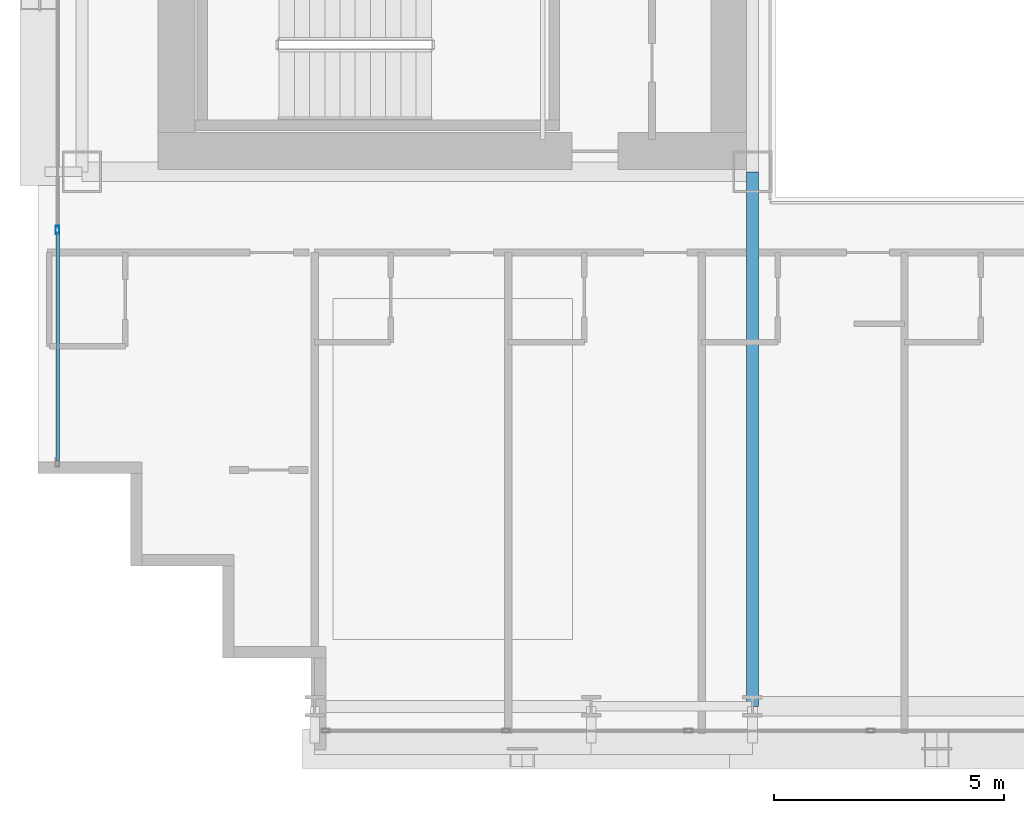
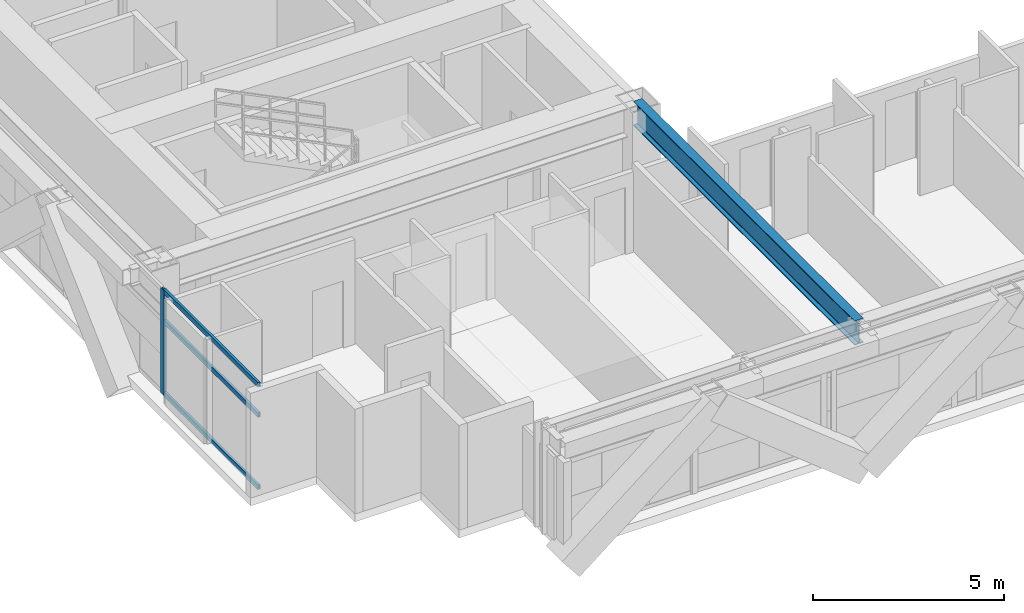
# One storey, part 3 of 36: 4 members, 1 beam, 1 element without a shape of its own.
"""IFC4 building model written with IfcOpenShell, lengths in metres."""

from ifc_helpers import new_model, si_unit, direction, frame, origin, origin_2d, place, context, subcontext, project, spatial, hollow_rectangle, i_section, extrude, source, transform, mapped, material, layer, layer_set, material_profile, profile_set, type_object, element, aggregate, save


model = new_model("IFC4")

# Units and contexts
model_context = context("Model", 3, precision=1e-05, world=origin(), true_north=direction((0.0, 1.0)))
body_context = subcontext(model_context, "Body", "Model", "MODEL_VIEW")
ifc_project = project(units=[si_unit("LENGTHUNIT", "METRE"), si_unit("AREAUNIT", "SQUARE_METRE"), si_unit("VOLUMEUNIT", "CUBIC_METRE"), si_unit("PLANEANGLEUNIT", "RADIAN"), si_unit("MASSUNIT", "GRAM", prefix="KILO")], contexts=[model_context])

# Site, building, storey
site_placement = place(None, origin())
site = spatial("IfcSite", under=ifc_project, at=site_placement, CompositionType="ELEMENT")
building_placement = place(site_placement, origin())
building = spatial("IfcBuilding", under=site, at=building_placement, Name="Ocotamira Hotel", CompositionType="ELEMENT")
storey_placement = place(building_placement, frame((0.0, 0.0, 42.0)))
storey = spatial("IfcBuildingStorey", under=building, at=storey_placement, Name="L09", CompositionType="ELEMENT", Elevation=42.0)

# Beam
ifc_material_1 = material(Name="Steel ASTM A992 Grade 50", Category="steel")
ifc_material_profile_1 = material_profile(ifc_material_1, i_section(OverallWidth=0.26611328125, OverallDepth=0.779052734375, WebThickness=0.0166015625, FlangeThickness=0.030029296875, FilletRadius=0.01806640625, at=origin_2d()), Name="W30X148")
ifc_profile_set_1 = profile_set([ifc_material_profile_1], Name="Steel ASTM A992 Grade 50")
beam_type = type_object("IfcBeamType", Name="BM-GIRD-W30X148", PredefinedType="BEAM", material=ifc_profile_set_1)
shared_shape_1 = source(origin(), body_context, "Body", "SweptSolid", [
    extrude(i_section(OverallWidth=0.26611328125, OverallDepth=0.779052734375, WebThickness=0.0166015625, FlangeThickness=0.030029296875, FilletRadius=0.01806640625, at=origin_2d()), origin(), (0.0, 0.0, 1.0), 11.60009765625),
])
beam_placement = place(storey_placement, frame((23.5, 2.949951171875, 2.96044921875), z_axis=(0.0, 1.0, 0.0), x_axis=(-1.0, 0.0, 0.0)))
element("IfcBeam", 1, at=beam_placement, inside=storey, type_object=beam_type, Name="L09 Beam X23.5 Y2.95-14.55", PredefinedType="BEAM", context=body_context, shape_type="MappedRepresentation", body=[
    mapped(shared_shape_1, transform((0.0, 0.0, 0.0), scale=1.0)),
])

# Curtain wall, members
ifc_material_2 = material(Name="Anodised pale-metal aluminium and solar glass", Category="aluminium")
ifc_layer = layer(ifc_material_2, 0.179931640625)
ifc_layer_set = layer_set([ifc_layer], Name="Anodised pale-metal aluminium and solar glass")
curtain_wall_type = type_object("IfcCurtainWallType", Name="CW-SYS2-Z1", PredefinedType="NOTDEFINED", material=ifc_layer_set)
curtain_wall_placement = place(storey_placement, origin())
curtain_wall = element("IfcCurtainWall", 2, at=curtain_wall_placement, inside=storey, type_object=curtain_wall_type, Name="L09 Curtain Wall CW-2 CW-L09-W", PredefinedType="NOTDEFINED")
ifc_material_3 = material(Name="Anodised pale-metal aluminium 6063-T6", Category="aluminium")
ifc_material_profile_2 = material_profile(ifc_material_3, hollow_rectangle(XDim=0.074951171875, YDim=0.14990234375, WallThickness=0.006103515625, at=origin_2d()), Name="HSS150X75X6")
ifc_profile_set_2 = profile_set([ifc_material_profile_2], Name="Anodised pale-metal aluminium 6063-T6")
member_type_1 = type_object("IfcMemberType", Name="CWT-150X75", PredefinedType="USERDEFINED", material=ifc_profile_set_2)
shared_shape_2 = source(origin(), body_context, "Body", "SweptSolid", [
    extrude(hollow_rectangle(XDim=0.074951171875, YDim=0.14990234375, WallThickness=0.006103515625, at=origin_2d()), origin(), (0.0, 0.0, 1.0), 4.965576171875),
])
member_1_placement = place(storey_placement, frame((8.419921875, 8.280029296875, 0.03759765625), z_axis=(0.0, 1.0, 0.0), x_axis=(-1.0, 0.0, 0.0)))
member_1 = element("IfcMember", 3, at=member_1_placement, type_object=member_type_1, Name="CW-2 transom 1.1", ObjectType="TRANSOM", PredefinedType="USERDEFINED", context=body_context, shape_type="MappedRepresentation", body=[
    mapped(shared_shape_2, transform((0.0, 0.0, 0.0), scale=1.0)),
])
member_2_placement = place(storey_placement, frame((8.419921875, 8.280029296875, 2.35009765625), z_axis=(0.0, 1.0, 0.0), x_axis=(-1.0, 0.0, 0.0)))
member_2 = element("IfcMember", 4, at=member_2_placement, type_object=member_type_1, Name="CW-2 transom 1.2", ObjectType="TRANSOM", PredefinedType="USERDEFINED", context=body_context, shape_type="MappedRepresentation", body=[
    mapped(shared_shape_2, transform((0.0, 0.0, 0.0), scale=1.0)),
])
member_3_placement = place(storey_placement, frame((8.419921875, 8.280029296875, 3.3125), z_axis=(0.0, 1.0, 0.0), x_axis=(-1.0, 0.0, 0.0)))
member_3 = element("IfcMember", 5, at=member_3_placement, type_object=member_type_1, Name="CW-2 transom 1.3", ObjectType="TRANSOM", PredefinedType="USERDEFINED", context=body_context, shape_type="MappedRepresentation", body=[
    mapped(shared_shape_2, transform((0.0, 0.0, 0.0), scale=1.0)),
])
ifc_material_profile_3 = material_profile(ifc_material_3, hollow_rectangle(XDim=0.080078125, YDim=0.179931640625, WallThickness=0.006103515625, at=origin_2d()), Name="HSS180X80X6")
ifc_profile_set_3 = profile_set([ifc_material_profile_3], Name="Anodised pale-metal aluminium 6063-T6")
member_type_2 = type_object("IfcMemberType", Name="CWM-180X75", PredefinedType="MULLION", material=ifc_profile_set_3)
shared_shape_3 = source(origin(), body_context, "Body", "SweptSolid", [
    extrude(hollow_rectangle(XDim=0.080078125, YDim=0.179931640625, WallThickness=0.006103515625, at=origin_2d()), origin(), (0.0, 0.0, 1.0), 3.35009765625),
])
member_4_placement = place(storey_placement, frame((8.419921875, 13.28564453125, 0.0), z_axis=(0.0, 0.0, 1.0), x_axis=(-1.0, 0.0, 0.0)))
member_4 = element("IfcMember", 6, at=member_4_placement, type_object=member_type_2, Name="CW-2 mullion 2", PredefinedType="MULLION", context=body_context, shape_type="MappedRepresentation", body=[
    mapped(shared_shape_3, transform((0.0, 0.0, 0.0), scale=1.0)),
])
aggregate(curtain_wall, [member_4, member_1, member_2, member_3])

save(model, "model.ifc")
